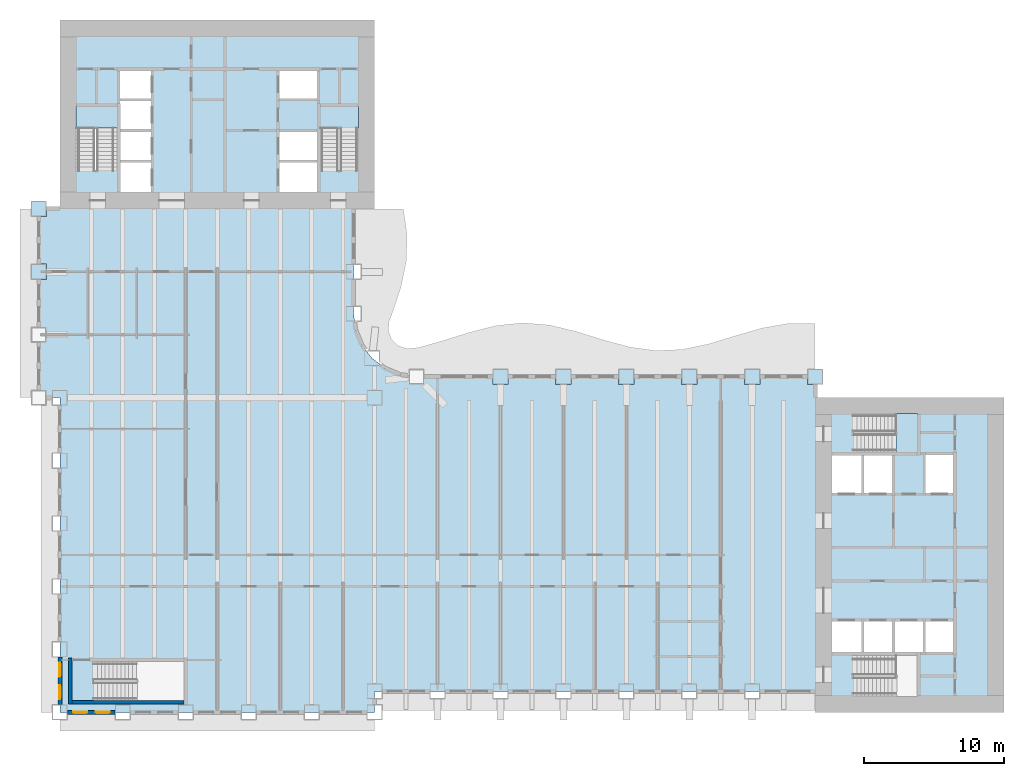
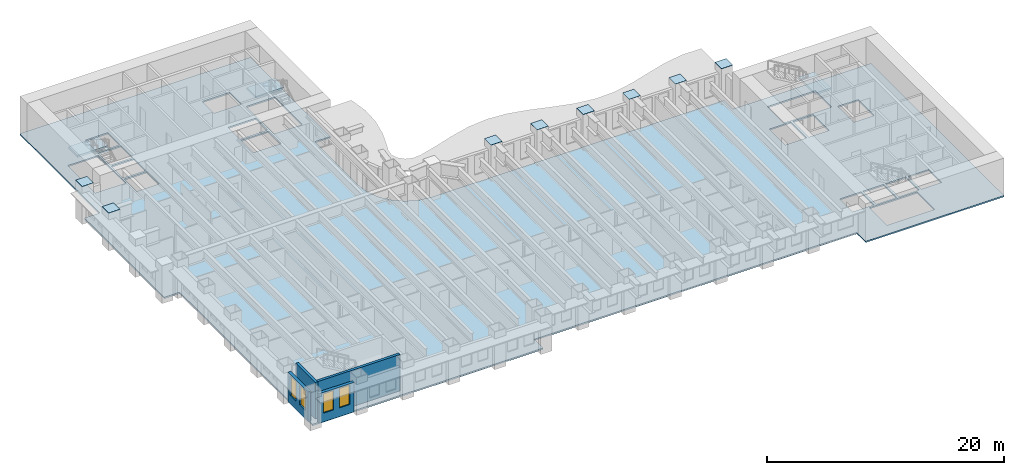
# One storey, part 2 of 16: 8 plates, 4 slabs, 4 walls, 4 windows, 4 openings, 3 elements without a shape of their own.
"""IFC4 building model written with IfcOpenShell, lengths in metres."""

from ifc_helpers import new_model, si_unit, direction, frame, frame_2d, origin, origin_2d, place, context, subcontext, project, spatial, polyline, rectangle, outline, extrude, material, layer, layer_set, type_object, element, fill, aggregate, save


model = new_model("IFC4")

# Units and contexts
model_context = context("Model", 3, precision=1e-05, world=origin(), true_north=direction((0.0, 1.0)))
body_context = subcontext(model_context, "Body", "Model", "MODEL_VIEW")
ifc_project = project(units=[si_unit("LENGTHUNIT", "METRE"), si_unit("AREAUNIT", "SQUARE_METRE"), si_unit("VOLUMEUNIT", "CUBIC_METRE"), si_unit("PLANEANGLEUNIT", "RADIAN"), si_unit("MASSUNIT", "GRAM", prefix="KILO")], contexts=[model_context])

# Site, building, storey
site_placement = place(None, origin())
site = spatial("IfcSite", under=ifc_project, at=site_placement, CompositionType="ELEMENT")
building_placement = place(site_placement, origin())
building = spatial("IfcBuilding", under=site, at=building_placement, Name="Sennacour Bend Tower", CompositionType="ELEMENT")
storey_placement = place(building_placement, frame((0.0, 0.0, 73.0)))
storey = spatial("IfcBuildingStorey", under=building, at=storey_placement, Name="L16", CompositionType="ELEMENT", Elevation=73.0)

# Plates
ifc_material_1 = material(Name="Steel ASTM A572 Grade 50", Category="steel")
ifc_layer_1 = layer(ifc_material_1, 0.02490234375, Name="Steel ASTM A572 Grade 50", Category="steel")
ifc_layer_set_1 = layer_set([ifc_layer_1], Name="Steel ASTM A572 Grade 50")
plate_type = type_object("IfcPlateType", Name="Column cap plate 1100", PredefinedType="USERDEFINED", material=ifc_layer_set_1)
for number, where, z_axis, x_axis, name in (
    (1, (-1.5, 31.5, 3.75), (0.0, 0.0, 1.0), (1.0, 0.0, 0.0), "Column cap plate L16-003"),
    (2, (-1.5, 36.0, 3.75), (0.0, 0.0, 1.0), (1.0, 0.0, 0.0), "Column cap plate L16-004"),
    (3, (31.5, 24.0, 3.75), (0.0, 0.0, 1.0), (1.0, 0.0, 0.0), "Column cap plate L16-024"),
    (4, (36.0, 24.0, 3.75), (0.0, 0.0, 1.0), (1.0, 0.0, 0.0), "Column cap plate L16-026"),
    (5, (40.5, 24.0, 3.75), (0.0, 0.0, 1.0), (1.0, 0.0, 0.0), "Column cap plate L16-028"),
    (6, (45.0, 24.0, 3.75), (0.0, 0.0, 1.0), (1.0, 0.0, 0.0), "Column cap plate L16-030"),
    (7, (49.5, 24.0, 3.75), (0.0, 0.0, 1.0), (1.0, 0.0, 0.0), "Column cap plate L16-032"),
    (8, (54.0, 24.0, 3.75), (0.0, 0.0, 1.0), (1.0, 0.0, 0.0), "Column cap plate L16-033"),
):
    element("IfcPlate", number, at=place(storey_placement, frame(where, z_axis=z_axis, x_axis=x_axis)), inside=storey, type_object=plate_type, Name=name, ObjectType="END PLATE", PredefinedType="USERDEFINED", context=body_context, shape_type="SweptSolid", body=[
        extrude(rectangle(XDim=1.10009765625, YDim=1.10009765625, at=origin_2d()), origin(), (0.0, 0.0, 1.0), 0.02490234375),
    ])

# Slab
ifc_material_2 = material(Name="Concrete C30/37", Category="concrete")
ifc_layer_2 = layer(ifc_material_2, 0.14990234375, Name="Concrete C30/37", Category="concrete")
ifc_layer_set_2 = layer_set([ifc_layer_2], Name="Concrete C30/37")
slab_type_1 = type_object("IfcSlabType", Name="Floor slab 150", PredefinedType="FLOOR", material=ifc_layer_set_2)
slab_1_placement = place(storey_placement, frame((0.0, 0.0, -0.14990234375)))
element("IfcSlab", 9, at=slab_1_placement, inside=storey, type_object=slab_type_1, Name="Floor slab L16-01", PredefinedType="FLOOR", context=body_context, shape_type="SweptSolid", body=[
    extrude(outline(polyline([(0.0, 22.5), (-1.5, 22.5), (-1.5, 36.0), (0.0, 36.0), (0.0, 49.5), (22.5, 49.5), (22.5, 36.0), (21.0, 36.0), (21.0, 28.5), (21.1533203125, 27.335205078125), (21.602783203125, 26.25), (22.318115234375, 25.318115234375), (23.25, 24.602783203125), (24.335205078125, 24.1533203125), (25.5, 24.0), (54.0, 24.0), (54.0, 22.5), (67.5, 22.5), (67.5, 0.0), (54.0, 0.0), (54.0, 1.5), (22.5, 1.5), (22.5, 0.0), (0.0, 0.0), (0.0, 22.5)]), holes=[polyline([(8.800048828125, 0.949951171875), (8.800048828125, 3.5), (2.429931640625, 3.5), (2.429931640625, 0.949951171875), (8.800048828125, 0.949951171875)]), polyline([(6.5, 37.199951171875), (6.5, 39.300048828125), (4.300048828125, 39.300048828125), (4.300048828125, 37.199951171875), (6.5, 37.199951171875)]), polyline([(18.39990234375, 37.199951171875), (18.39990234375, 39.300048828125), (15.699951171875, 39.300048828125), (15.699951171875, 37.199951171875), (18.39990234375, 37.199951171875)]), polyline([(6.5, 39.5), (6.5, 41.5), (4.300048828125, 41.5), (4.300048828125, 39.5), (6.5, 39.5)]), polyline([(18.39990234375, 39.5), (18.39990234375, 41.5), (15.699951171875, 41.5), (15.699951171875, 39.5), (18.39990234375, 39.5)]), polyline([(4.125, 38.72998046875), (4.125, 43.39990234375), (1.14990234375, 43.39990234375), (1.14990234375, 38.72998046875), (4.125, 38.72998046875)]), polyline([(21.35009765625, 38.72998046875), (21.35009765625, 43.39990234375), (18.574951171875, 43.39990234375), (18.574951171875, 38.72998046875), (21.35009765625, 38.72998046875)]), polyline([(4.300048828125, 41.699951171875), (6.5, 41.699951171875), (6.5, 43.699951171875), (4.300048828125, 43.699951171875), (4.300048828125, 41.699951171875)]), polyline([(4.300048828125, 43.89990234375), (6.5, 43.89990234375), (6.5, 45.89990234375), (4.300048828125, 45.89990234375), (4.300048828125, 43.89990234375)]), polyline([(18.39990234375, 43.89990234375), (18.39990234375, 45.89990234375), (15.699951171875, 45.89990234375), (15.699951171875, 43.89990234375), (18.39990234375, 43.89990234375)]), polyline([(61.39990234375, 1.14990234375), (61.39990234375, 4.125), (56.72998046875, 4.125), (56.72998046875, 1.14990234375), (61.39990234375, 1.14990234375)]), polyline([(57.300048828125, 4.300048828125), (57.300048828125, 6.5), (55.199951171875, 6.5), (55.199951171875, 4.300048828125), (57.300048828125, 4.300048828125)]), polyline([(57.5, 4.300048828125), (59.5, 4.300048828125), (59.5, 6.5), (57.5, 6.5), (57.5, 4.300048828125)]), polyline([(59.699951171875, 4.300048828125), (61.699951171875, 4.300048828125), (61.699951171875, 6.5), (59.699951171875, 6.5), (59.699951171875, 4.300048828125)]), polyline([(63.89990234375, 4.300048828125), (63.89990234375, 6.5), (61.89990234375, 6.5), (61.89990234375, 4.300048828125), (63.89990234375, 4.300048828125)]), polyline([(57.300048828125, 15.699951171875), (57.300048828125, 18.39990234375), (55.199951171875, 18.39990234375), (55.199951171875, 15.699951171875), (57.300048828125, 15.699951171875)]), polyline([(59.5, 15.699951171875), (59.5, 18.39990234375), (57.5, 18.39990234375), (57.5, 15.699951171875), (59.5, 15.699951171875)]), polyline([(61.89990234375, 15.699951171875), (63.89990234375, 15.699951171875), (63.89990234375, 18.39990234375), (61.89990234375, 18.39990234375), (61.89990234375, 15.699951171875)]), polyline([(56.72998046875, 18.574951171875), (61.39990234375, 18.574951171875), (61.39990234375, 21.35009765625), (56.72998046875, 21.35009765625), (56.72998046875, 18.574951171875)])]), origin(), (0.0, 0.0, 1.0), 0.14990234375),
])

# Stair, slab
ifc_material_3 = material(Name="Concrete C40/50", Category="concrete")
stair_type = type_object("IfcStairType", Name="ST-DOGLEG", PredefinedType="HALF_TURN_STAIR", material=ifc_material_3)
stair_1_placement = place(storey_placement, origin())
stair_1 = element("IfcStair", 10, at=stair_1_placement, inside=storey, type_object=stair_type, Name="L16 Exit stair A2", PredefinedType="HALF_TURN_STAIR")
ifc_layer_3 = layer(ifc_material_3, 0.199951171875, Name="Concrete C40/50", Category="concrete")
ifc_layer_set_3 = layer_set([ifc_layer_3], Name="Concrete C40/50")
slab_type_2 = type_object("IfcSlabType", Name="Stair landing 200", PredefinedType="LANDING", material=ifc_layer_set_3)
slab_2_placement = place(storey_placement, frame((0.0, 0.0, 1.800048828125)))
slab_2 = element("IfcSlab", 11, at=slab_2_placement, type_object=slab_type_2, Name="SA2 landing 1", PredefinedType="LANDING", context=body_context, shape_type="SweptSolid", body=[
    extrude(outline(polyline([(59.780029296875, 18.574951171875), (61.324951171875, 18.574951171875), (61.324951171875, 21.35009765625), (59.780029296875, 21.35009765625), (59.780029296875, 18.574951171875)])), origin(), (0.0, 0.0, 1.0), 0.199951171875),
])
aggregate(stair_1, [slab_2])

stair_2_placement = place(storey_placement, origin())
stair_2 = element("IfcStair", 12, at=stair_2_placement, inside=storey, type_object=stair_type, Name="L16 Exit stair B1", PredefinedType="HALF_TURN_STAIR")
slab_3_placement = place(storey_placement, frame((0.0, 0.0, 1.800048828125)))
slab_3 = element("IfcSlab", 13, at=slab_3_placement, type_object=slab_type_2, Name="SB1 landing 1", PredefinedType="LANDING", context=body_context, shape_type="SweptSolid", body=[
    extrude(outline(polyline([(1.14990234375, 41.780029296875), (4.125, 41.780029296875), (4.125, 43.324951171875), (1.14990234375, 43.324951171875), (1.14990234375, 41.780029296875)])), origin(), (0.0, 0.0, 1.0), 0.199951171875),
])
aggregate(stair_2, [slab_3])

stair_3_placement = place(storey_placement, origin())
stair_3 = element("IfcStair", 14, at=stair_3_placement, inside=storey, type_object=stair_type, Name="L16 Exit stair B2", PredefinedType="HALF_TURN_STAIR")
slab_4_placement = place(storey_placement, frame((0.0, 0.0, 1.800048828125)))
slab_4 = element("IfcSlab", 15, at=slab_4_placement, type_object=slab_type_2, Name="SB2 landing 1", PredefinedType="LANDING", context=body_context, shape_type="SweptSolid", body=[
    extrude(outline(polyline([(18.574951171875, 41.780029296875), (21.35009765625, 41.780029296875), (21.35009765625, 43.324951171875), (18.574951171875, 43.324951171875), (18.574951171875, 41.780029296875)])), origin(), (0.0, 0.0, 1.0), 0.199951171875),
])
aggregate(stair_3, [slab_4])

# Wall, openings, windows
ifc_material_4 = material(Name="Warm limestone cladding", Category="masonry")
ifc_layer_4 = layer(ifc_material_4, 0.050048828125, Name="Warm limestone cladding", Category="masonry")
ifc_material_5 = material(Name="Precast concrete C40/50", Category="concrete")
ifc_layer_5 = layer(ifc_material_5, 0.25, Name="Precast concrete C40/50", Category="concrete")
ifc_layer_set_4 = layer_set([ifc_layer_4, ifc_layer_5], Name="Precast concrete C40/50 with limestone cladding")
wall_type_1 = type_object("IfcWallType", Name="STONE-CLAD PRECAST SPANDREL 300", PredefinedType="STANDARD", material=ifc_layer_set_4)
wall_1_placement = place(storey_placement, frame((0.550048828125, 0.0, 0.0), z_axis=(0.0, 0.0, 1.0), x_axis=(1.0, 0.0, 0.0)))
wall_1 = element("IfcWall", 16, at=wall_1_placement, inside=storey, type_object=wall_type_1, Name="Stone spandrel and pier wall L16 00.00", PredefinedType="STANDARD", context=body_context, shape_type="SweptSolid", body=[
    extrude(rectangle(XDim=3.39990234375, YDim=0.300048828125, at=frame_2d((1.699951171875, 0.0))), origin(), (0.0, 0.0, 1.0), 3.0439453125),
])
opening_1_placement = place(wall_1_placement, frame((0.39990234375, 0.0, 0.89990234375)))
opening_1 = element("IfcOpeningElement", 17, at=opening_1_placement, cuts=wall_1, Name="Opening W8", PredefinedType="OPENING", context=body_context, shape_type="SweptSolid", body=[
    extrude(rectangle(XDim=1.0, YDim=2.0, at=frame_2d((0.5, 1.0))), frame((0.0, 0.16015625, 0.0), z_axis=(0.0, -1.0, 0.0), x_axis=(1.0, 0.0, 0.0)), (0.0, 0.0, 1.0), 0.320068359375),
])
opening_2_placement = place(wall_1_placement, frame((2.0, 0.0, 0.89990234375)))
opening_2 = element("IfcOpeningElement", 18, at=opening_2_placement, cuts=wall_1, Name="Opening W8", PredefinedType="OPENING", context=body_context, shape_type="SweptSolid", body=[
    extrude(rectangle(XDim=1.0, YDim=2.0, at=frame_2d((0.5, 1.0))), frame((0.0, 0.16015625, 0.0), z_axis=(0.0, -1.0, 0.0), x_axis=(1.0, 0.0, 0.0)), (0.0, 0.0, 1.0), 0.320068359375),
])
ifc_material_6 = material(Name="Clear low-emissivity glass", Category="glass")
window_type = type_object("IfcWindowType", Name="WIN-RIBBON-1000x2000", PartitioningType="SINGLE_PANEL", PredefinedType="WINDOW", material=ifc_material_6)
window_1_placement = place(opening_1_placement, origin())
window_1 = element("IfcWindow", 19, at=window_1_placement, inside=storey, type_object=window_type, Name="Ribbon window L16 00.00.0", OverallHeight=2.0, OverallWidth=1.0, PartitioningType="SINGLE_PANEL", PredefinedType="WINDOW", context=body_context, shape_type="SweptSolid", body=[
    extrude(rectangle(XDim=1.0, YDim=2.0, at=frame_2d((0.5, 1.0))), frame((0.0, 0.030029296875, 0.0), z_axis=(0.0, -1.0, 0.0), x_axis=(1.0, 0.0, 0.0)), (0.0, 0.0, 1.0), 0.06005859375),
])
fill(opening_1, window_1)
window_2_placement = place(opening_2_placement, origin())
window_2 = element("IfcWindow", 20, at=window_2_placement, inside=storey, type_object=window_type, Name="Ribbon window L16 00.00.1", OverallHeight=2.0, OverallWidth=1.0, PartitioningType="SINGLE_PANEL", PredefinedType="WINDOW", context=body_context, shape_type="SweptSolid", body=[
    extrude(rectangle(XDim=1.0, YDim=2.0, at=frame_2d((0.5, 1.0))), frame((0.0, 0.030029296875, 0.0), z_axis=(0.0, -1.0, 0.0), x_axis=(1.0, 0.0, 0.0)), (0.0, 0.0, 1.0), 0.06005859375),
])
fill(opening_2, window_2)

wall_2_placement = place(storey_placement, frame((0.0, 3.949951171875, 0.0), z_axis=(0.0, 0.0, 1.0), x_axis=(0.0, -1.0, 0.0)))
wall_2 = element("IfcWall", 21, at=wall_2_placement, inside=storey, type_object=wall_type_1, Name="Stone spandrel and pier wall L16 23.04", PredefinedType="STANDARD", context=body_context, shape_type="SweptSolid", body=[
    extrude(rectangle(XDim=3.39990234375, YDim=0.300048828125, at=frame_2d((1.699951171875, 0.0))), origin(), (0.0, 0.0, 1.0), 3.0439453125),
])
opening_3_placement = place(wall_2_placement, frame((0.39990234375, 0.0, 0.89990234375)))
opening_3 = element("IfcOpeningElement", 22, at=opening_3_placement, cuts=wall_2, Name="Opening W8", PredefinedType="OPENING", context=body_context, shape_type="SweptSolid", body=[
    extrude(rectangle(XDim=1.0, YDim=2.0, at=frame_2d((0.5, 1.0))), frame((0.0, 0.16015625, 0.0), z_axis=(0.0, -1.0, 0.0), x_axis=(1.0, 0.0, 0.0)), (0.0, 0.0, 1.0), 0.320068359375),
])
opening_4_placement = place(wall_2_placement, frame((2.0, 0.0, 0.89990234375)))
opening_4 = element("IfcOpeningElement", 23, at=opening_4_placement, cuts=wall_2, Name="Opening W8", PredefinedType="OPENING", context=body_context, shape_type="SweptSolid", body=[
    extrude(rectangle(XDim=1.0, YDim=2.0, at=frame_2d((0.5, 1.0))), frame((0.0, 0.16015625, 0.0), z_axis=(0.0, -1.0, 0.0), x_axis=(1.0, 0.0, 0.0)), (0.0, 0.0, 1.0), 0.320068359375),
])
window_3_placement = place(opening_3_placement, origin())
window_3 = element("IfcWindow", 24, at=window_3_placement, inside=storey, type_object=window_type, Name="Ribbon window L16 23.04.0", OverallHeight=2.0, OverallWidth=1.0, PartitioningType="SINGLE_PANEL", PredefinedType="WINDOW", context=body_context, shape_type="SweptSolid", body=[
    extrude(rectangle(XDim=1.0, YDim=2.0, at=frame_2d((0.5, 1.0))), frame((0.0, 0.030029296875, 0.0), z_axis=(0.0, -1.0, 0.0), x_axis=(1.0, 0.0, 0.0)), (0.0, 0.0, 1.0), 0.06005859375),
])
fill(opening_3, window_3)
window_4_placement = place(opening_4_placement, origin())
window_4 = element("IfcWindow", 25, at=window_4_placement, inside=storey, type_object=window_type, Name="Ribbon window L16 23.04.1", OverallHeight=2.0, OverallWidth=1.0, PartitioningType="SINGLE_PANEL", PredefinedType="WINDOW", context=body_context, shape_type="SweptSolid", body=[
    extrude(rectangle(XDim=1.0, YDim=2.0, at=frame_2d((0.5, 1.0))), frame((0.0, 0.030029296875, 0.0), z_axis=(0.0, -1.0, 0.0), x_axis=(1.0, 0.0, 0.0)), (0.0, 0.0, 1.0), 0.06005859375),
])
fill(opening_4, window_4)

# Walls
ifc_material_7 = material(Name="Concrete C60/75", Category="concrete")
ifc_layer_6 = layer(ifc_material_7, 0.25, Name="Concrete C60/75", Category="concrete")
ifc_layer_set_5 = layer_set([ifc_layer_6], Name="Concrete C60/75")
wall_type_2 = type_object("IfcWallType", Name="Stair wall 250", PredefinedType="SHEAR", material=ifc_layer_set_5)
wall_3_placement = place(storey_placement, frame((0.72509765625, 0.60009765625, 0.0), z_axis=(0.0, 0.0, 1.0), x_axis=(0.0, 1.0, 0.0)))
element("IfcWall", 26, at=wall_3_placement, inside=storey, type_object=wall_type_2, Name="P-L16-W003", PredefinedType="SHEAR", context=body_context, shape_type="SweptSolid", body=[
    extrude(rectangle(XDim=3.27490234375, YDim=0.25, at=frame_2d((1.637451171875, 0.0))), origin(), (0.0, 0.0, 1.0), 3.75),
])
wall_4_placement = place(storey_placement, frame((0.85009765625, 0.72509765625, 0.0), z_axis=(0.0, 0.0, 1.0), x_axis=(1.0, 0.0, 0.0)))
element("IfcWall", 27, at=wall_4_placement, inside=storey, type_object=wall_type_2, Name="P-L16-W050", PredefinedType="SHEAR", context=body_context, shape_type="SweptSolid", body=[
    extrude(rectangle(XDim=8.02490234375, YDim=0.25, at=frame_2d((4.012451171875, 0.0))), origin(), (0.0, 0.0, 1.0), 3.75),
])

save(model, "model.ifc")
